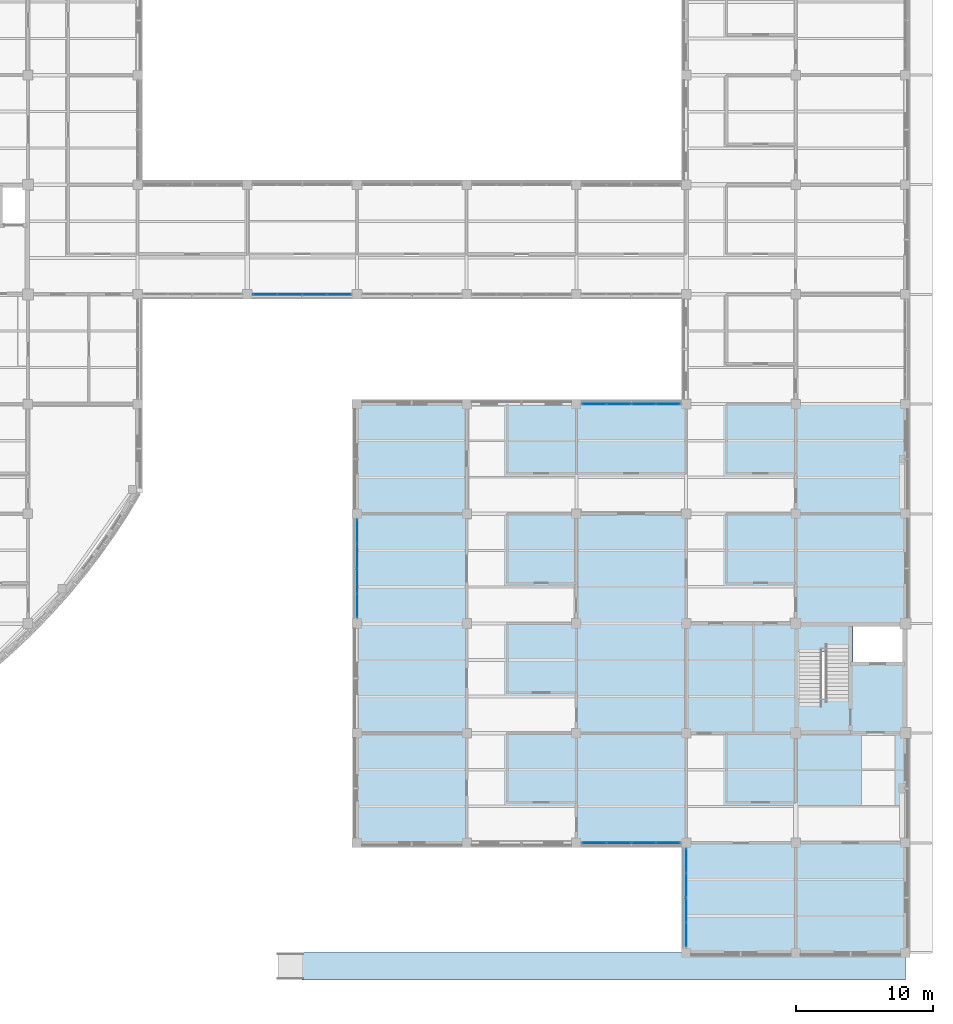
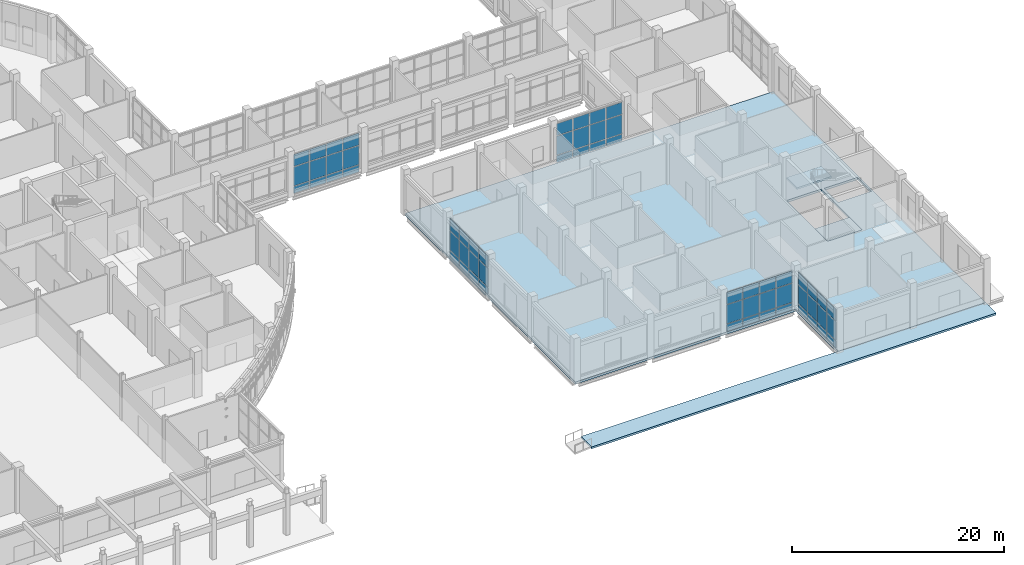
# One storey, part 54 of 105: 60 plates, 4 slabs, 6 elements without a shape of their own.
"""IFC4 building model written with IfcOpenShell, lengths in metres."""

from ifc_helpers import new_model, si_unit, derived_unit, direction, frame, origin, origin_2d, place, context, subcontext, project, spatial, polyline, rectangle, outline, extrude, material, layer, layer_set, type_object, element, aggregate, save


model = new_model("IFC4")

# Units and contexts
model_context = context("Model", 3, precision=1e-05, world=origin(), true_north=direction((0.0, 1.0)))
body_context = subcontext(model_context, "Body", "Model", "MODEL_VIEW")
ifc_project = project(units=[si_unit("LENGTHUNIT", "METRE"), si_unit("AREAUNIT", "SQUARE_METRE"), si_unit("VOLUMEUNIT", "CUBIC_METRE"), si_unit("PLANEANGLEUNIT", "RADIAN"), si_unit("MASSUNIT", "GRAM", prefix="KILO"), derived_unit("THERMALTRANSMITTANCEUNIT", [(si_unit("MASSUNIT", "GRAM", prefix="KILO"), 1), (si_unit("TIMEUNIT", "SECOND"), -3), (si_unit("THERMODYNAMICTEMPERATUREUNIT", "KELVIN"), -1)])], contexts=[model_context])

# Site, building, storey
site_placement = place(None, origin())
site = spatial("IfcSite", under=ifc_project, at=site_placement, CompositionType="ELEMENT")
building_placement = place(site_placement, origin())
building = spatial("IfcBuilding", under=site, at=building_placement, Name="Veyamyaing Civic Hall", CompositionType="ELEMENT")
storey_placement = place(building_placement, origin())
storey = spatial("IfcBuildingStorey", under=building, at=storey_placement, Name="L00", CompositionType="ELEMENT", Elevation=0.0)

# Curtain wall, plates
ifc_material_1 = material(Name="Anodised aluminium 6063-T6", Category="aluminium")
ifc_layer_1 = layer(ifc_material_1, 0.199951171875, Name="Anodised aluminium 6063-T6")
ifc_layer_set_1 = layer_set([ifc_layer_1], Name="Anodised aluminium 6063-T6")
curtain_wall_type_1 = type_object("IfcCurtainWallType", Name="CW-10", PredefinedType="NOTDEFINED", material=ifc_layer_set_1)
curtain_wall_1_placement = place(storey_placement, origin())
curtain_wall_1 = element("IfcCurtainWall", 1, at=curtain_wall_1_placement, inside=storey, type_object=curtain_wall_type_1, Name="Unitized curtain wall CW-10 L00 N 20.5", PredefinedType="NOTDEFINED")
ifc_material_2 = material(Name="Low-E insulated glass", Category="glass")
ifc_layer_2 = layer(ifc_material_2, 0.028076171875, Name="Low-E insulated glass")
ifc_layer_set_2 = layer_set([ifc_layer_2], Name="Low-E insulated glass")
plate_type_1 = type_object("IfcPlateType", Name="CWP-01", PredefinedType="CURTAIN_PANEL", material=ifc_layer_set_2)
plate_1_placement = place(storey_placement, frame((153.302490234375, 40.0, 0.070068359375), z_axis=(0.0, 0.0, 1.0), x_axis=(1.0, 0.0, 0.0)))
plate_1 = element("IfcPlate", 2, at=plate_1_placement, type_object=plate_type_1, Name="CW-10 panel 1.1", PredefinedType="CURTAIN_PANEL", context=body_context, shape_type="SweptSolid", body=[
    extrude(rectangle(XDim=1.705078125, YDim=0.028076171875, at=origin_2d()), origin(), (0.0, 0.0, 1.0), 0.794921875),
])
plate_2_placement = place(storey_placement, frame((153.302490234375, 40.0, 0.93505859375), z_axis=(0.0, 0.0, 1.0), x_axis=(1.0, 0.0, 0.0)))
plate_2 = element("IfcPlate", 3, at=plate_2_placement, type_object=plate_type_1, Name="CW-10 panel 1.2", PredefinedType="CURTAIN_PANEL", context=body_context, shape_type="SweptSolid", body=[
    extrude(rectangle(XDim=1.705078125, YDim=0.028076171875, at=origin_2d()), origin(), (0.0, 0.0, 1.0), 2.164794921875),
])
plate_3_placement = place(storey_placement, frame((153.302490234375, 40.0, 3.169921875), z_axis=(0.0, 0.0, 1.0), x_axis=(1.0, 0.0, 0.0)))
plate_3 = element("IfcPlate", 4, at=plate_3_placement, type_object=plate_type_1, Name="CW-10 panel 1.3", PredefinedType="CURTAIN_PANEL", context=body_context, shape_type="SweptSolid", body=[
    extrude(rectangle(XDim=1.705078125, YDim=0.028076171875, at=origin_2d()), origin(), (0.0, 0.0, 1.0), 1.3701171875),
])
plate_4_placement = place(storey_placement, frame((155.094970703125, 40.0, 0.070068359375), z_axis=(0.0, 0.0, 1.0), x_axis=(1.0, 0.0, 0.0)))
plate_4 = element("IfcPlate", 5, at=plate_4_placement, type_object=plate_type_1, Name="CW-10 panel 2.1", PredefinedType="CURTAIN_PANEL", context=body_context, shape_type="SweptSolid", body=[
    extrude(rectangle(XDim=1.739990234375, YDim=0.028076171875, at=origin_2d()), origin(), (0.0, 0.0, 1.0), 0.794921875),
])
plate_5_placement = place(storey_placement, frame((155.094970703125, 40.0, 0.93505859375), z_axis=(0.0, 0.0, 1.0), x_axis=(1.0, 0.0, 0.0)))
plate_5 = element("IfcPlate", 6, at=plate_5_placement, type_object=plate_type_1, Name="CW-10 panel 2.2", PredefinedType="CURTAIN_PANEL", context=body_context, shape_type="SweptSolid", body=[
    extrude(rectangle(XDim=1.739990234375, YDim=0.028076171875, at=origin_2d()), origin(), (0.0, 0.0, 1.0), 2.164794921875),
])
plate_6_placement = place(storey_placement, frame((155.094970703125, 40.0, 3.169921875), z_axis=(0.0, 0.0, 1.0), x_axis=(1.0, 0.0, 0.0)))
plate_6 = element("IfcPlate", 7, at=plate_6_placement, type_object=plate_type_1, Name="CW-10 panel 2.3", PredefinedType="CURTAIN_PANEL", context=body_context, shape_type="SweptSolid", body=[
    extrude(rectangle(XDim=1.739990234375, YDim=0.028076171875, at=origin_2d()), origin(), (0.0, 0.0, 1.0), 1.3701171875),
])
plate_7_placement = place(storey_placement, frame((156.905029296875, 40.0, 0.070068359375), z_axis=(0.0, 0.0, 1.0), x_axis=(1.0, 0.0, 0.0)))
plate_7 = element("IfcPlate", 8, at=plate_7_placement, type_object=plate_type_1, Name="CW-10 panel 3.1", PredefinedType="CURTAIN_PANEL", context=body_context, shape_type="SweptSolid", body=[
    extrude(rectangle(XDim=1.739990234375, YDim=0.028076171875, at=origin_2d()), origin(), (0.0, 0.0, 1.0), 0.794921875),
])
plate_8_placement = place(storey_placement, frame((156.905029296875, 40.0, 0.93505859375), z_axis=(0.0, 0.0, 1.0), x_axis=(1.0, 0.0, 0.0)))
plate_8 = element("IfcPlate", 9, at=plate_8_placement, type_object=plate_type_1, Name="CW-10 panel 3.2", PredefinedType="CURTAIN_PANEL", context=body_context, shape_type="SweptSolid", body=[
    extrude(rectangle(XDim=1.739990234375, YDim=0.028076171875, at=origin_2d()), origin(), (0.0, 0.0, 1.0), 2.164794921875),
])
plate_9_placement = place(storey_placement, frame((156.905029296875, 40.0, 3.169921875), z_axis=(0.0, 0.0, 1.0), x_axis=(1.0, 0.0, 0.0)))
plate_9 = element("IfcPlate", 10, at=plate_9_placement, type_object=plate_type_1, Name="CW-10 panel 3.3", PredefinedType="CURTAIN_PANEL", context=body_context, shape_type="SweptSolid", body=[
    extrude(rectangle(XDim=1.739990234375, YDim=0.028076171875, at=origin_2d()), origin(), (0.0, 0.0, 1.0), 1.3701171875),
])
plate_10_placement = place(storey_placement, frame((158.697509765625, 40.0, 0.070068359375), z_axis=(0.0, 0.0, 1.0), x_axis=(1.0, 0.0, 0.0)))
plate_10 = element("IfcPlate", 11, at=plate_10_placement, type_object=plate_type_1, Name="CW-10 panel 4.1", PredefinedType="CURTAIN_PANEL", context=body_context, shape_type="SweptSolid", body=[
    extrude(rectangle(XDim=1.705078125, YDim=0.028076171875, at=origin_2d()), origin(), (0.0, 0.0, 1.0), 0.794921875),
])
plate_11_placement = place(storey_placement, frame((158.697509765625, 40.0, 0.93505859375), z_axis=(0.0, 0.0, 1.0), x_axis=(1.0, 0.0, 0.0)))
plate_11 = element("IfcPlate", 12, at=plate_11_placement, type_object=plate_type_1, Name="CW-10 panel 4.2", PredefinedType="CURTAIN_PANEL", context=body_context, shape_type="SweptSolid", body=[
    extrude(rectangle(XDim=1.705078125, YDim=0.028076171875, at=origin_2d()), origin(), (0.0, 0.0, 1.0), 2.164794921875),
])
plate_12_placement = place(storey_placement, frame((158.697509765625, 40.0, 3.169921875), z_axis=(0.0, 0.0, 1.0), x_axis=(1.0, 0.0, 0.0)))
plate_12 = element("IfcPlate", 13, at=plate_12_placement, type_object=plate_type_1, Name="CW-10 panel 4.3", PredefinedType="CURTAIN_PANEL", context=body_context, shape_type="SweptSolid", body=[
    extrude(rectangle(XDim=1.705078125, YDim=0.028076171875, at=origin_2d()), origin(), (0.0, 0.0, 1.0), 1.3701171875),
])
aggregate(curtain_wall_1, [plate_1, plate_2, plate_3, plate_4, plate_5, plate_6, plate_7, plate_8, plate_9, plate_10, plate_11, plate_12])

curtain_wall_2_placement = place(storey_placement, origin())
curtain_wall_2 = element("IfcCurtainWall", 14, at=curtain_wall_2_placement, inside=storey, type_object=curtain_wall_type_1, Name="Unitized curtain wall CW-10 L00 W 18.4", PredefinedType="NOTDEFINED")
ifc_layer_3 = layer(ifc_material_2, 0.02392578125, Name="Low-E insulated glass")
ifc_layer_set_3 = layer_set([ifc_layer_3], Name="Low-E insulated glass")
plate_type_2 = type_object("IfcPlateType", Name="CWP-04", PredefinedType="CURTAIN_PANEL", material=ifc_layer_set_3)
plate_13_placement = place(storey_placement, frame((136.0, 25.302490234375, 0.070068359375), z_axis=(0.0, 0.0, 1.0), x_axis=(0.0, 1.0, 0.0)))
plate_13 = element("IfcPlate", 15, at=plate_13_placement, type_object=plate_type_2, Name="CW-10 panel 1.1", PredefinedType="CURTAIN_PANEL", context=body_context, shape_type="SweptSolid", body=[
    extrude(rectangle(XDim=1.705078125, YDim=0.02392578125, at=origin_2d()), origin(), (0.0, 0.0, 1.0), 0.794921875),
])
plate_14_placement = place(storey_placement, frame((136.0, 25.302490234375, 0.93505859375), z_axis=(0.0, 0.0, 1.0), x_axis=(0.0, 1.0, 0.0)))
plate_14 = element("IfcPlate", 16, at=plate_14_placement, type_object=plate_type_2, Name="CW-10 panel 1.2", PredefinedType="CURTAIN_PANEL", context=body_context, shape_type="SweptSolid", body=[
    extrude(rectangle(XDim=1.705078125, YDim=0.02392578125, at=origin_2d()), origin(), (0.0, 0.0, 1.0), 2.164794921875),
])
plate_15_placement = place(storey_placement, frame((136.0, 25.302490234375, 3.169921875), z_axis=(0.0, 0.0, 1.0), x_axis=(0.0, 1.0, 0.0)))
plate_15 = element("IfcPlate", 17, at=plate_15_placement, type_object=plate_type_2, Name="CW-10 panel 1.3", PredefinedType="CURTAIN_PANEL", context=body_context, shape_type="SweptSolid", body=[
    extrude(rectangle(XDim=1.705078125, YDim=0.02392578125, at=origin_2d()), origin(), (0.0, 0.0, 1.0), 1.3701171875),
])
plate_16_placement = place(storey_placement, frame((136.0, 27.094970703125, 0.070068359375), z_axis=(0.0, 0.0, 1.0), x_axis=(0.0, 1.0, 0.0)))
plate_16 = element("IfcPlate", 18, at=plate_16_placement, type_object=plate_type_2, Name="CW-10 panel 2.1", PredefinedType="CURTAIN_PANEL", context=body_context, shape_type="SweptSolid", body=[
    extrude(rectangle(XDim=1.739990234375, YDim=0.02392578125, at=origin_2d()), origin(), (0.0, 0.0, 1.0), 0.794921875),
])
plate_17_placement = place(storey_placement, frame((136.0, 27.094970703125, 0.93505859375), z_axis=(0.0, 0.0, 1.0), x_axis=(0.0, 1.0, 0.0)))
plate_17 = element("IfcPlate", 19, at=plate_17_placement, type_object=plate_type_2, Name="CW-10 panel 2.2", PredefinedType="CURTAIN_PANEL", context=body_context, shape_type="SweptSolid", body=[
    extrude(rectangle(XDim=1.739990234375, YDim=0.02392578125, at=origin_2d()), origin(), (0.0, 0.0, 1.0), 2.164794921875),
])
plate_18_placement = place(storey_placement, frame((136.0, 27.094970703125, 3.169921875), z_axis=(0.0, 0.0, 1.0), x_axis=(0.0, 1.0, 0.0)))
plate_18 = element("IfcPlate", 20, at=plate_18_placement, type_object=plate_type_2, Name="CW-10 panel 2.3", PredefinedType="CURTAIN_PANEL", context=body_context, shape_type="SweptSolid", body=[
    extrude(rectangle(XDim=1.739990234375, YDim=0.02392578125, at=origin_2d()), origin(), (0.0, 0.0, 1.0), 1.3701171875),
])
plate_19_placement = place(storey_placement, frame((136.0, 28.905029296875, 0.070068359375), z_axis=(0.0, 0.0, 1.0), x_axis=(0.0, 1.0, 0.0)))
plate_19 = element("IfcPlate", 21, at=plate_19_placement, type_object=plate_type_2, Name="CW-10 panel 3.1", PredefinedType="CURTAIN_PANEL", context=body_context, shape_type="SweptSolid", body=[
    extrude(rectangle(XDim=1.739990234375, YDim=0.02392578125, at=origin_2d()), origin(), (0.0, 0.0, 1.0), 0.794921875),
])
plate_20_placement = place(storey_placement, frame((136.0, 28.905029296875, 0.93505859375), z_axis=(0.0, 0.0, 1.0), x_axis=(0.0, 1.0, 0.0)))
plate_20 = element("IfcPlate", 22, at=plate_20_placement, type_object=plate_type_2, Name="CW-10 panel 3.2", PredefinedType="CURTAIN_PANEL", context=body_context, shape_type="SweptSolid", body=[
    extrude(rectangle(XDim=1.739990234375, YDim=0.02392578125, at=origin_2d()), origin(), (0.0, 0.0, 1.0), 2.164794921875),
])
plate_21_placement = place(storey_placement, frame((136.0, 28.905029296875, 3.169921875), z_axis=(0.0, 0.0, 1.0), x_axis=(0.0, 1.0, 0.0)))
plate_21 = element("IfcPlate", 23, at=plate_21_placement, type_object=plate_type_2, Name="CW-10 panel 3.3", PredefinedType="CURTAIN_PANEL", context=body_context, shape_type="SweptSolid", body=[
    extrude(rectangle(XDim=1.739990234375, YDim=0.02392578125, at=origin_2d()), origin(), (0.0, 0.0, 1.0), 1.3701171875),
])
plate_22_placement = place(storey_placement, frame((136.0, 30.697509765625, 0.070068359375), z_axis=(0.0, 0.0, 1.0), x_axis=(0.0, 1.0, 0.0)))
plate_22 = element("IfcPlate", 24, at=plate_22_placement, type_object=plate_type_2, Name="CW-10 panel 4.1", PredefinedType="CURTAIN_PANEL", context=body_context, shape_type="SweptSolid", body=[
    extrude(rectangle(XDim=1.705078125, YDim=0.02392578125, at=origin_2d()), origin(), (0.0, 0.0, 1.0), 0.794921875),
])
plate_23_placement = place(storey_placement, frame((136.0, 30.697509765625, 0.93505859375), z_axis=(0.0, 0.0, 1.0), x_axis=(0.0, 1.0, 0.0)))
plate_23 = element("IfcPlate", 25, at=plate_23_placement, type_object=plate_type_2, Name="CW-10 panel 4.2", PredefinedType="CURTAIN_PANEL", context=body_context, shape_type="SweptSolid", body=[
    extrude(rectangle(XDim=1.705078125, YDim=0.02392578125, at=origin_2d()), origin(), (0.0, 0.0, 1.0), 2.164794921875),
])
plate_24_placement = place(storey_placement, frame((136.0, 30.697509765625, 3.169921875), z_axis=(0.0, 0.0, 1.0), x_axis=(0.0, 1.0, 0.0)))
plate_24 = element("IfcPlate", 26, at=plate_24_placement, type_object=plate_type_2, Name="CW-10 panel 4.3", PredefinedType="CURTAIN_PANEL", context=body_context, shape_type="SweptSolid", body=[
    extrude(rectangle(XDim=1.705078125, YDim=0.02392578125, at=origin_2d()), origin(), (0.0, 0.0, 1.0), 1.3701171875),
])
aggregate(curtain_wall_2, [plate_13, plate_14, plate_15, plate_16, plate_17, plate_18, plate_19, plate_20, plate_21, plate_22, plate_23, plate_24])

curtain_wall_3_placement = place(storey_placement, origin())
curtain_wall_3 = element("IfcCurtainWall", 27, at=curtain_wall_3_placement, inside=storey, type_object=curtain_wall_type_1, Name="Unitized curtain wall CW-10 L00 S 20.2", PredefinedType="NOTDEFINED")
plate_25_placement = place(storey_placement, frame((153.302490234375, 8.0, 0.070068359375), z_axis=(0.0, 0.0, 1.0), x_axis=(1.0, 0.0, 0.0)))
plate_25 = element("IfcPlate", 28, at=plate_25_placement, type_object=plate_type_2, Name="CW-10 panel 1.1", PredefinedType="CURTAIN_PANEL", context=body_context, shape_type="SweptSolid", body=[
    extrude(rectangle(XDim=1.705078125, YDim=0.02392578125, at=origin_2d()), origin(), (0.0, 0.0, 1.0), 0.794921875),
])
plate_26_placement = place(storey_placement, frame((153.302490234375, 8.0, 0.93505859375), z_axis=(0.0, 0.0, 1.0), x_axis=(1.0, 0.0, 0.0)))
plate_26 = element("IfcPlate", 29, at=plate_26_placement, type_object=plate_type_2, Name="CW-10 panel 1.2", PredefinedType="CURTAIN_PANEL", context=body_context, shape_type="SweptSolid", body=[
    extrude(rectangle(XDim=1.705078125, YDim=0.02392578125, at=origin_2d()), origin(), (0.0, 0.0, 1.0), 2.164794921875),
])
plate_27_placement = place(storey_placement, frame((153.302490234375, 8.0, 3.169921875), z_axis=(0.0, 0.0, 1.0), x_axis=(1.0, 0.0, 0.0)))
plate_27 = element("IfcPlate", 30, at=plate_27_placement, type_object=plate_type_2, Name="CW-10 panel 1.3", PredefinedType="CURTAIN_PANEL", context=body_context, shape_type="SweptSolid", body=[
    extrude(rectangle(XDim=1.705078125, YDim=0.02392578125, at=origin_2d()), origin(), (0.0, 0.0, 1.0), 1.3701171875),
])
plate_28_placement = place(storey_placement, frame((155.094970703125, 8.0, 0.070068359375), z_axis=(0.0, 0.0, 1.0), x_axis=(1.0, 0.0, 0.0)))
plate_28 = element("IfcPlate", 31, at=plate_28_placement, type_object=plate_type_2, Name="CW-10 panel 2.1", PredefinedType="CURTAIN_PANEL", context=body_context, shape_type="SweptSolid", body=[
    extrude(rectangle(XDim=1.739990234375, YDim=0.02392578125, at=origin_2d()), origin(), (0.0, 0.0, 1.0), 0.794921875),
])
plate_29_placement = place(storey_placement, frame((155.094970703125, 8.0, 0.93505859375), z_axis=(0.0, 0.0, 1.0), x_axis=(1.0, 0.0, 0.0)))
plate_29 = element("IfcPlate", 32, at=plate_29_placement, type_object=plate_type_2, Name="CW-10 panel 2.2", PredefinedType="CURTAIN_PANEL", context=body_context, shape_type="SweptSolid", body=[
    extrude(rectangle(XDim=1.739990234375, YDim=0.02392578125, at=origin_2d()), origin(), (0.0, 0.0, 1.0), 2.164794921875),
])
plate_30_placement = place(storey_placement, frame((155.094970703125, 8.0, 3.169921875), z_axis=(0.0, 0.0, 1.0), x_axis=(1.0, 0.0, 0.0)))
plate_30 = element("IfcPlate", 33, at=plate_30_placement, type_object=plate_type_2, Name="CW-10 panel 2.3", PredefinedType="CURTAIN_PANEL", context=body_context, shape_type="SweptSolid", body=[
    extrude(rectangle(XDim=1.739990234375, YDim=0.02392578125, at=origin_2d()), origin(), (0.0, 0.0, 1.0), 1.3701171875),
])
plate_31_placement = place(storey_placement, frame((156.905029296875, 8.0, 0.070068359375), z_axis=(0.0, 0.0, 1.0), x_axis=(1.0, 0.0, 0.0)))
plate_31 = element("IfcPlate", 34, at=plate_31_placement, type_object=plate_type_2, Name="CW-10 panel 3.1", PredefinedType="CURTAIN_PANEL", context=body_context, shape_type="SweptSolid", body=[
    extrude(rectangle(XDim=1.739990234375, YDim=0.02392578125, at=origin_2d()), origin(), (0.0, 0.0, 1.0), 0.794921875),
])
plate_32_placement = place(storey_placement, frame((156.905029296875, 8.0, 0.93505859375), z_axis=(0.0, 0.0, 1.0), x_axis=(1.0, 0.0, 0.0)))
plate_32 = element("IfcPlate", 35, at=plate_32_placement, type_object=plate_type_2, Name="CW-10 panel 3.2", PredefinedType="CURTAIN_PANEL", context=body_context, shape_type="SweptSolid", body=[
    extrude(rectangle(XDim=1.739990234375, YDim=0.02392578125, at=origin_2d()), origin(), (0.0, 0.0, 1.0), 2.164794921875),
])
plate_33_placement = place(storey_placement, frame((156.905029296875, 8.0, 3.169921875), z_axis=(0.0, 0.0, 1.0), x_axis=(1.0, 0.0, 0.0)))
plate_33 = element("IfcPlate", 36, at=plate_33_placement, type_object=plate_type_2, Name="CW-10 panel 3.3", PredefinedType="CURTAIN_PANEL", context=body_context, shape_type="SweptSolid", body=[
    extrude(rectangle(XDim=1.739990234375, YDim=0.02392578125, at=origin_2d()), origin(), (0.0, 0.0, 1.0), 1.3701171875),
])
plate_34_placement = place(storey_placement, frame((158.697509765625, 8.0, 0.070068359375), z_axis=(0.0, 0.0, 1.0), x_axis=(1.0, 0.0, 0.0)))
plate_34 = element("IfcPlate", 37, at=plate_34_placement, type_object=plate_type_2, Name="CW-10 panel 4.1", PredefinedType="CURTAIN_PANEL", context=body_context, shape_type="SweptSolid", body=[
    extrude(rectangle(XDim=1.705078125, YDim=0.02392578125, at=origin_2d()), origin(), (0.0, 0.0, 1.0), 0.794921875),
])
plate_35_placement = place(storey_placement, frame((158.697509765625, 8.0, 0.93505859375), z_axis=(0.0, 0.0, 1.0), x_axis=(1.0, 0.0, 0.0)))
plate_35 = element("IfcPlate", 38, at=plate_35_placement, type_object=plate_type_2, Name="CW-10 panel 4.2", PredefinedType="CURTAIN_PANEL", context=body_context, shape_type="SweptSolid", body=[
    extrude(rectangle(XDim=1.705078125, YDim=0.02392578125, at=origin_2d()), origin(), (0.0, 0.0, 1.0), 2.164794921875),
])
plate_36_placement = place(storey_placement, frame((158.697509765625, 8.0, 3.169921875), z_axis=(0.0, 0.0, 1.0), x_axis=(1.0, 0.0, 0.0)))
plate_36 = element("IfcPlate", 39, at=plate_36_placement, type_object=plate_type_2, Name="CW-10 panel 4.3", PredefinedType="CURTAIN_PANEL", context=body_context, shape_type="SweptSolid", body=[
    extrude(rectangle(XDim=1.705078125, YDim=0.02392578125, at=origin_2d()), origin(), (0.0, 0.0, 1.0), 1.3701171875),
])
aggregate(curtain_wall_3, [plate_25, plate_26, plate_27, plate_28, plate_29, plate_30, plate_31, plate_32, plate_33, plate_34, plate_35, plate_36])

curtain_wall_4_placement = place(storey_placement, origin())
curtain_wall_4 = element("IfcCurtainWall", 40, at=curtain_wall_4_placement, inside=storey, type_object=curtain_wall_type_1, Name="Unitized curtain wall CW-10 L00 W 21.1", PredefinedType="NOTDEFINED")
plate_37_placement = place(storey_placement, frame((160.0, 1.302490234375, 0.070068359375), z_axis=(0.0, 0.0, 1.0), x_axis=(0.0, 1.0, 0.0)))
plate_37 = element("IfcPlate", 41, at=plate_37_placement, type_object=plate_type_2, Name="CW-10 panel 1.1", PredefinedType="CURTAIN_PANEL", context=body_context, shape_type="SweptSolid", body=[
    extrude(rectangle(XDim=1.705078125, YDim=0.02392578125, at=origin_2d()), origin(), (0.0, 0.0, 1.0), 0.794921875),
])
plate_38_placement = place(storey_placement, frame((160.0, 1.302490234375, 0.93505859375), z_axis=(0.0, 0.0, 1.0), x_axis=(0.0, 1.0, 0.0)))
plate_38 = element("IfcPlate", 42, at=plate_38_placement, type_object=plate_type_2, Name="CW-10 panel 1.2", PredefinedType="CURTAIN_PANEL", context=body_context, shape_type="SweptSolid", body=[
    extrude(rectangle(XDim=1.705078125, YDim=0.02392578125, at=origin_2d()), origin(), (0.0, 0.0, 1.0), 2.164794921875),
])
plate_39_placement = place(storey_placement, frame((160.0, 1.302490234375, 3.169921875), z_axis=(0.0, 0.0, 1.0), x_axis=(0.0, 1.0, 0.0)))
plate_39 = element("IfcPlate", 43, at=plate_39_placement, type_object=plate_type_2, Name="CW-10 panel 1.3", PredefinedType="CURTAIN_PANEL", context=body_context, shape_type="SweptSolid", body=[
    extrude(rectangle(XDim=1.705078125, YDim=0.02392578125, at=origin_2d()), origin(), (0.0, 0.0, 1.0), 1.3701171875),
])
plate_40_placement = place(storey_placement, frame((160.0, 3.094970703125, 0.070068359375), z_axis=(0.0, 0.0, 1.0), x_axis=(0.0, 1.0, 0.0)))
plate_40 = element("IfcPlate", 44, at=plate_40_placement, type_object=plate_type_2, Name="CW-10 panel 2.1", PredefinedType="CURTAIN_PANEL", context=body_context, shape_type="SweptSolid", body=[
    extrude(rectangle(XDim=1.739990234375, YDim=0.02392578125, at=origin_2d()), origin(), (0.0, 0.0, 1.0), 0.794921875),
])
plate_41_placement = place(storey_placement, frame((160.0, 3.094970703125, 0.93505859375), z_axis=(0.0, 0.0, 1.0), x_axis=(0.0, 1.0, 0.0)))
plate_41 = element("IfcPlate", 45, at=plate_41_placement, type_object=plate_type_2, Name="CW-10 panel 2.2", PredefinedType="CURTAIN_PANEL", context=body_context, shape_type="SweptSolid", body=[
    extrude(rectangle(XDim=1.739990234375, YDim=0.02392578125, at=origin_2d()), origin(), (0.0, 0.0, 1.0), 2.164794921875),
])
plate_42_placement = place(storey_placement, frame((160.0, 3.094970703125, 3.169921875), z_axis=(0.0, 0.0, 1.0), x_axis=(0.0, 1.0, 0.0)))
plate_42 = element("IfcPlate", 46, at=plate_42_placement, type_object=plate_type_2, Name="CW-10 panel 2.3", PredefinedType="CURTAIN_PANEL", context=body_context, shape_type="SweptSolid", body=[
    extrude(rectangle(XDim=1.739990234375, YDim=0.02392578125, at=origin_2d()), origin(), (0.0, 0.0, 1.0), 1.3701171875),
])
plate_43_placement = place(storey_placement, frame((160.0, 4.905029296875, 0.070068359375), z_axis=(0.0, 0.0, 1.0), x_axis=(0.0, 1.0, 0.0)))
plate_43 = element("IfcPlate", 47, at=plate_43_placement, type_object=plate_type_2, Name="CW-10 panel 3.1", PredefinedType="CURTAIN_PANEL", context=body_context, shape_type="SweptSolid", body=[
    extrude(rectangle(XDim=1.739990234375, YDim=0.02392578125, at=origin_2d()), origin(), (0.0, 0.0, 1.0), 0.794921875),
])
plate_44_placement = place(storey_placement, frame((160.0, 4.905029296875, 0.93505859375), z_axis=(0.0, 0.0, 1.0), x_axis=(0.0, 1.0, 0.0)))
plate_44 = element("IfcPlate", 48, at=plate_44_placement, type_object=plate_type_2, Name="CW-10 panel 3.2", PredefinedType="CURTAIN_PANEL", context=body_context, shape_type="SweptSolid", body=[
    extrude(rectangle(XDim=1.739990234375, YDim=0.02392578125, at=origin_2d()), origin(), (0.0, 0.0, 1.0), 2.164794921875),
])
plate_45_placement = place(storey_placement, frame((160.0, 4.905029296875, 3.169921875), z_axis=(0.0, 0.0, 1.0), x_axis=(0.0, 1.0, 0.0)))
plate_45 = element("IfcPlate", 49, at=plate_45_placement, type_object=plate_type_2, Name="CW-10 panel 3.3", PredefinedType="CURTAIN_PANEL", context=body_context, shape_type="SweptSolid", body=[
    extrude(rectangle(XDim=1.739990234375, YDim=0.02392578125, at=origin_2d()), origin(), (0.0, 0.0, 1.0), 1.3701171875),
])
plate_46_placement = place(storey_placement, frame((160.0, 6.697509765625, 0.070068359375), z_axis=(0.0, 0.0, 1.0), x_axis=(0.0, 1.0, 0.0)))
plate_46 = element("IfcPlate", 50, at=plate_46_placement, type_object=plate_type_2, Name="CW-10 panel 4.1", PredefinedType="CURTAIN_PANEL", context=body_context, shape_type="SweptSolid", body=[
    extrude(rectangle(XDim=1.705078125, YDim=0.02392578125, at=origin_2d()), origin(), (0.0, 0.0, 1.0), 0.794921875),
])
plate_47_placement = place(storey_placement, frame((160.0, 6.697509765625, 0.93505859375), z_axis=(0.0, 0.0, 1.0), x_axis=(0.0, 1.0, 0.0)))
plate_47 = element("IfcPlate", 51, at=plate_47_placement, type_object=plate_type_2, Name="CW-10 panel 4.2", PredefinedType="CURTAIN_PANEL", context=body_context, shape_type="SweptSolid", body=[
    extrude(rectangle(XDim=1.705078125, YDim=0.02392578125, at=origin_2d()), origin(), (0.0, 0.0, 1.0), 2.164794921875),
])
plate_48_placement = place(storey_placement, frame((160.0, 6.697509765625, 3.169921875), z_axis=(0.0, 0.0, 1.0), x_axis=(0.0, 1.0, 0.0)))
plate_48 = element("IfcPlate", 52, at=plate_48_placement, type_object=plate_type_2, Name="CW-10 panel 4.3", PredefinedType="CURTAIN_PANEL", context=body_context, shape_type="SweptSolid", body=[
    extrude(rectangle(XDim=1.705078125, YDim=0.02392578125, at=origin_2d()), origin(), (0.0, 0.0, 1.0), 1.3701171875),
])
aggregate(curtain_wall_4, [plate_37, plate_38, plate_39, plate_40, plate_41, plate_42, plate_43, plate_44, plate_45, plate_46, plate_47, plate_48])

ifc_layer_4 = layer(ifc_material_1, 0.159912109375, Name="Anodised aluminium 6063-T6")
ifc_layer_set_4 = layer_set([ifc_layer_4], Name="Anodised aluminium 6063-T6")
curtain_wall_type_2 = type_object("IfcCurtainWallType", Name="CW-01", PredefinedType="NOTDEFINED", material=ifc_layer_set_4)
curtain_wall_5_placement = place(storey_placement, origin())
curtain_wall_5 = element("IfcCurtainWall", 53, at=curtain_wall_5_placement, inside=storey, type_object=curtain_wall_type_2, Name="Unitized curtain wall CW-01 L00 S 17.7", PredefinedType="NOTDEFINED")
ifc_layer_5 = layer(ifc_material_2, 0.02197265625, Name="Low-E insulated glass")
ifc_layer_set_5 = layer_set([ifc_layer_5], Name="Low-E insulated glass")
plate_type_3 = type_object("IfcPlateType", Name="CWP-06", PredefinedType="CURTAIN_PANEL", material=ifc_layer_set_5)
plate_49_placement = place(storey_placement, frame((129.30126953125, 48.0, 0.06494140625), z_axis=(0.0, 0.0, 1.0), x_axis=(1.0, 0.0, 0.0)))
plate_49 = element("IfcPlate", 54, at=plate_49_placement, type_object=plate_type_3, Name="CW-01 panel 1.1", PredefinedType="CURTAIN_PANEL", context=body_context, shape_type="SweptSolid", body=[
    extrude(rectangle(XDim=1.71240234375, YDim=0.02197265625, at=origin_2d()), origin(), (0.0, 0.0, 1.0), 0.802490234375),
])
plate_50_placement = place(storey_placement, frame((129.30126953125, 48.0, 0.9326171875), z_axis=(0.0, 0.0, 1.0), x_axis=(1.0, 0.0, 0.0)))
plate_50 = element("IfcPlate", 55, at=plate_50_placement, type_object=plate_type_3, Name="CW-01 panel 1.2", PredefinedType="CURTAIN_PANEL", context=body_context, shape_type="SweptSolid", body=[
    extrude(rectangle(XDim=1.71240234375, YDim=0.02197265625, at=origin_2d()), origin(), (0.0, 0.0, 1.0), 2.172607421875),
])
plate_51_placement = place(storey_placement, frame((129.30126953125, 48.0, 3.170166015625), z_axis=(0.0, 0.0, 1.0), x_axis=(1.0, 0.0, 0.0)))
plate_51 = element("IfcPlate", 56, at=plate_51_placement, type_object=plate_type_3, Name="CW-01 panel 1.3", PredefinedType="CURTAIN_PANEL", context=body_context, shape_type="SweptSolid", body=[
    extrude(rectangle(XDim=1.71240234375, YDim=0.02197265625, at=origin_2d()), origin(), (0.0, 0.0, 1.0), 1.37890625),
])
plate_52_placement = place(storey_placement, frame((131.094970703125, 48.0, 0.06494140625), z_axis=(0.0, 0.0, 1.0), x_axis=(1.0, 0.0, 0.0)))
plate_52 = element("IfcPlate", 57, at=plate_52_placement, type_object=plate_type_3, Name="CW-01 panel 2.1", PredefinedType="CURTAIN_PANEL", context=body_context, shape_type="SweptSolid", body=[
    extrude(rectangle(XDim=1.7451171875, YDim=0.02197265625, at=origin_2d()), origin(), (0.0, 0.0, 1.0), 0.802490234375),
])
plate_53_placement = place(storey_placement, frame((131.094970703125, 48.0, 0.9326171875), z_axis=(0.0, 0.0, 1.0), x_axis=(1.0, 0.0, 0.0)))
plate_53 = element("IfcPlate", 58, at=plate_53_placement, type_object=plate_type_3, Name="CW-01 panel 2.2", PredefinedType="CURTAIN_PANEL", context=body_context, shape_type="SweptSolid", body=[
    extrude(rectangle(XDim=1.7451171875, YDim=0.02197265625, at=origin_2d()), origin(), (0.0, 0.0, 1.0), 2.172607421875),
])
plate_54_placement = place(storey_placement, frame((131.094970703125, 48.0, 3.170166015625), z_axis=(0.0, 0.0, 1.0), x_axis=(1.0, 0.0, 0.0)))
plate_54 = element("IfcPlate", 59, at=plate_54_placement, type_object=plate_type_3, Name="CW-01 panel 2.3", PredefinedType="CURTAIN_PANEL", context=body_context, shape_type="SweptSolid", body=[
    extrude(rectangle(XDim=1.7451171875, YDim=0.02197265625, at=origin_2d()), origin(), (0.0, 0.0, 1.0), 1.37890625),
])
plate_55_placement = place(storey_placement, frame((132.905029296875, 48.0, 0.06494140625), z_axis=(0.0, 0.0, 1.0), x_axis=(1.0, 0.0, 0.0)))
plate_55 = element("IfcPlate", 60, at=plate_55_placement, type_object=plate_type_3, Name="CW-01 panel 3.1", PredefinedType="CURTAIN_PANEL", context=body_context, shape_type="SweptSolid", body=[
    extrude(rectangle(XDim=1.7451171875, YDim=0.02197265625, at=origin_2d()), origin(), (0.0, 0.0, 1.0), 0.802490234375),
])
plate_56_placement = place(storey_placement, frame((132.905029296875, 48.0, 0.9326171875), z_axis=(0.0, 0.0, 1.0), x_axis=(1.0, 0.0, 0.0)))
plate_56 = element("IfcPlate", 61, at=plate_56_placement, type_object=plate_type_3, Name="CW-01 panel 3.2", PredefinedType="CURTAIN_PANEL", context=body_context, shape_type="SweptSolid", body=[
    extrude(rectangle(XDim=1.7451171875, YDim=0.02197265625, at=origin_2d()), origin(), (0.0, 0.0, 1.0), 2.172607421875),
])
plate_57_placement = place(storey_placement, frame((132.905029296875, 48.0, 3.170166015625), z_axis=(0.0, 0.0, 1.0), x_axis=(1.0, 0.0, 0.0)))
plate_57 = element("IfcPlate", 62, at=plate_57_placement, type_object=plate_type_3, Name="CW-01 panel 3.3", PredefinedType="CURTAIN_PANEL", context=body_context, shape_type="SweptSolid", body=[
    extrude(rectangle(XDim=1.7451171875, YDim=0.02197265625, at=origin_2d()), origin(), (0.0, 0.0, 1.0), 1.37890625),
])
plate_58_placement = place(storey_placement, frame((134.69873046875, 48.0, 0.06494140625), z_axis=(0.0, 0.0, 1.0), x_axis=(1.0, 0.0, 0.0)))
plate_58 = element("IfcPlate", 63, at=plate_58_placement, type_object=plate_type_3, Name="CW-01 panel 4.1", PredefinedType="CURTAIN_PANEL", context=body_context, shape_type="SweptSolid", body=[
    extrude(rectangle(XDim=1.71240234375, YDim=0.02197265625, at=origin_2d()), origin(), (0.0, 0.0, 1.0), 0.802490234375),
])
plate_59_placement = place(storey_placement, frame((134.69873046875, 48.0, 0.9326171875), z_axis=(0.0, 0.0, 1.0), x_axis=(1.0, 0.0, 0.0)))
plate_59 = element("IfcPlate", 64, at=plate_59_placement, type_object=plate_type_3, Name="CW-01 panel 4.2", PredefinedType="CURTAIN_PANEL", context=body_context, shape_type="SweptSolid", body=[
    extrude(rectangle(XDim=1.71240234375, YDim=0.02197265625, at=origin_2d()), origin(), (0.0, 0.0, 1.0), 2.172607421875),
])
plate_60_placement = place(storey_placement, frame((134.69873046875, 48.0, 3.170166015625), z_axis=(0.0, 0.0, 1.0), x_axis=(1.0, 0.0, 0.0)))
plate_60 = element("IfcPlate", 65, at=plate_60_placement, type_object=plate_type_3, Name="CW-01 panel 4.3", PredefinedType="CURTAIN_PANEL", context=body_context, shape_type="SweptSolid", body=[
    extrude(rectangle(XDim=1.71240234375, YDim=0.02197265625, at=origin_2d()), origin(), (0.0, 0.0, 1.0), 1.37890625),
])
aggregate(curtain_wall_5, [plate_49, plate_50, plate_51, plate_52, plate_53, plate_54, plate_55, plate_56, plate_57, plate_58, plate_59, plate_60])

# Slabs
ifc_material_3 = material(Name="Concrete C40/50", Category="concrete")
ifc_layer_6 = layer(ifc_material_3, 0.264892578125, Name="Concrete C40/50")
ifc_layer_set_6 = layer_set([ifc_layer_6], Name="Concrete C40/50")
slab_type_1 = type_object("IfcSlabType", Name="SL-02", PredefinedType="FLOOR", material=ifc_layer_set_6)
slab_1_placement = place(storey_placement, frame((0.0, 0.0, -0.264892578125)))
element("IfcSlab", 66, at=slab_1_placement, inside=storey, type_object=slab_type_1, Name="Floor slab SL-02 L00 V3.1", PredefinedType="FLOOR", context=body_context, shape_type="SweptSolid", body=[
    extrude(outline(polyline([(136.0, 40.0), (176.0, 40.0), (176.0, 0.0), (160.0, 0.0), (160.0, 8.0), (136.0, 8.0), (136.0, 40.0)]), holes=[polyline([(171.909912109375, 23.860107421875), (168.139892578125, 23.860107421875), (168.139892578125, 16.139892578125), (171.909912109375, 16.139892578125), (171.909912109375, 23.860107421875)]), polyline([(175.820068359375, 23.820068359375), (172.179931640625, 23.820068359375), (172.179931640625, 21.179931640625), (175.820068359375, 21.179931640625), (175.820068359375, 23.820068359375)])]), origin(), (0.0, 0.0, 1.0), 0.264892578125),
])
ifc_layer_7 = layer(ifc_material_3, 0.219970703125, Name="Concrete C40/50")
ifc_layer_set_7 = layer_set([ifc_layer_7], Name="Concrete C40/50")
slab_type_2 = type_object("IfcSlabType", Name="SL-09", PredefinedType="FLOOR", material=ifc_layer_set_7)
slab_2_placement = place(storey_placement, frame((0.0, 0.0, -0.219970703125)))
element("IfcSlab", 67, at=slab_2_placement, inside=storey, type_object=slab_type_2, Name="Colonnade deck slab SL-09 SOUTH-E", PredefinedType="FLOOR", context=body_context, shape_type="SweptSolid", body=[
    extrude(outline(polyline([(176.0, -2.0), (176.0, 0.0), (132.0, 0.0), (132.0, -2.0), (176.0, -2.0)])), origin(), (0.0, 0.0, 1.0), 0.219970703125),
])
ifc_layer_8 = layer(ifc_material_3, 0.199951171875, Name="Concrete C40/50")
ifc_layer_set_8 = layer_set([ifc_layer_8], Name="Concrete C40/50")
slab_type_3 = type_object("IfcSlabType", Name="SL-16", PredefinedType="FLOOR", material=ifc_layer_set_8)
slab_3_placement = place(storey_placement, frame((0.0, 0.0, -0.199951171875)))
element("IfcSlab", 68, at=slab_3_placement, inside=storey, type_object=slab_type_3, Name="Stair floor landing slab SL-16 ST-10 L00", PredefinedType="FLOOR", context=body_context, shape_type="SweptSolid", body=[
    extrude(outline(polyline([(168.139892578125, 16.139892578125), (171.909912109375, 16.139892578125), (171.909912109375, 18.52001953125), (168.139892578125, 18.52001953125), (168.139892578125, 16.139892578125)])), origin(), (0.0, 0.0, 1.0), 0.199951171875),
])

# Stair, slab
stair_type = type_object("IfcStairType", Name="ST-B", PredefinedType="HALF_TURN_STAIR", material=ifc_material_3)
stair_placement = place(storey_placement, origin())
stair = element("IfcStair", 69, at=stair_placement, inside=storey, type_object=stair_type, Name="Protected exit stair ST-10 L00", PredefinedType="HALF_TURN_STAIR")
ifc_layer_9 = layer(ifc_material_3, 0.195068359375, Name="Concrete C40/50")
ifc_layer_set_9 = layer_set([ifc_layer_9], Name="Concrete C40/50")
slab_type_4 = type_object("IfcSlabType", Name="SL-LND", PredefinedType="LANDING", material=ifc_layer_set_9)
slab_4_placement = place(storey_placement, frame((0.0, 0.0, 2.445068359375)))
slab_4 = element("IfcSlab", 70, at=slab_4_placement, type_object=slab_type_4, Name="ST-10 landing 1", PredefinedType="LANDING", context=body_context, shape_type="SweptSolid", body=[
    extrude(outline(polyline([(168.139892578125, 21.909912109375), (171.909912109375, 21.909912109375), (171.909912109375, 23.860107421875), (168.139892578125, 23.860107421875), (168.139892578125, 21.909912109375)])), origin(), (0.0, 0.0, 1.0), 0.19482421875),
])
aggregate(stair, [slab_4])

save(model, "model.ifc")
